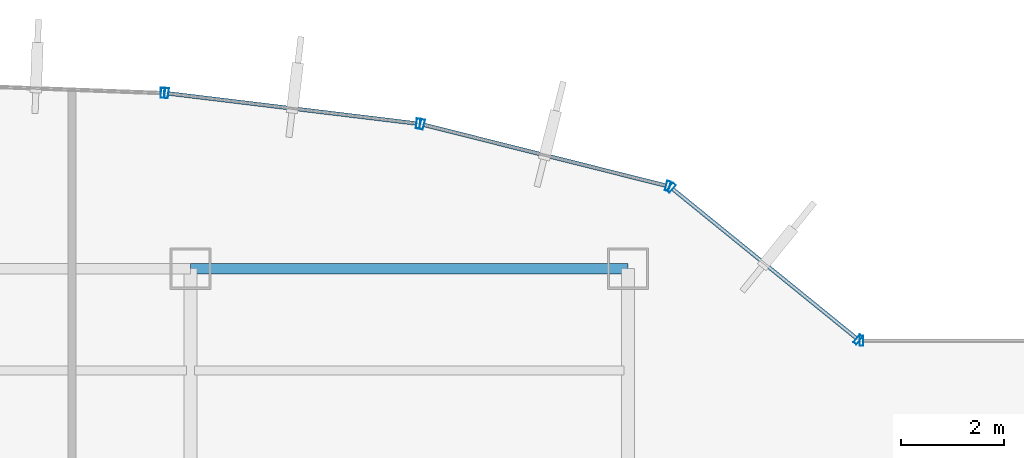
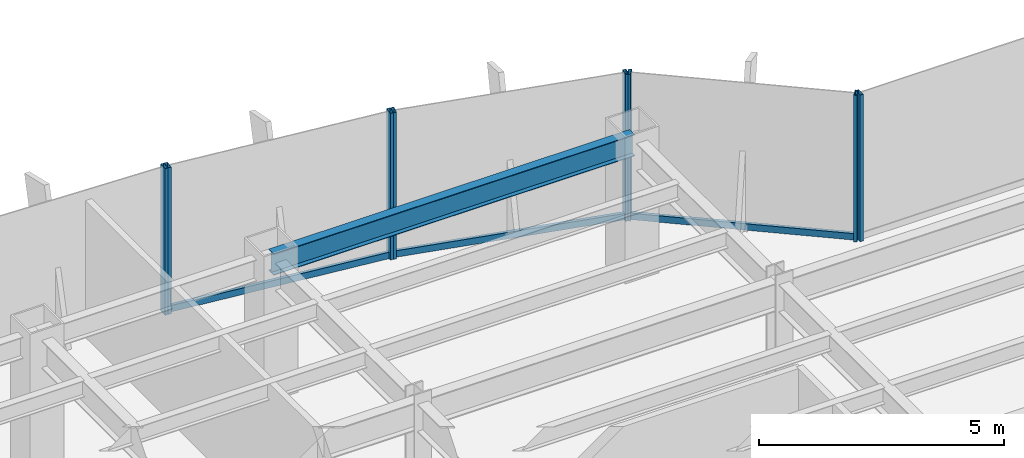
# One storey, part 18 of 26: 11 members, 1 beam, 5 elements without a shape of their own.
"""IFC4 building model written with IfcOpenShell, lengths in metres."""

from ifc_helpers import new_model, si_unit, derived_unit, direction, frame, origin, origin_2d, place, context, subcontext, project, spatial, hollow_rectangle, i_section, extrude, source, transform, mapped, material, material_profile, profile_set, type_object, element, aggregate, save


model = new_model("IFC4")

# Units and contexts
model_context = context("Model", 3, precision=1e-05, world=origin(), true_north=direction((0.0, 1.0)))
body_context = subcontext(model_context, "Body", "Model", "MODEL_VIEW")
ifc_project = project(units=[si_unit("LENGTHUNIT", "METRE"), si_unit("AREAUNIT", "SQUARE_METRE"), si_unit("VOLUMEUNIT", "CUBIC_METRE"), si_unit("PLANEANGLEUNIT", "RADIAN"), si_unit("MASSUNIT", "GRAM", prefix="KILO"), derived_unit("THERMALTRANSMITTANCEUNIT", [(si_unit("POWERUNIT", "WATT"), 1), (si_unit("LENGTHUNIT", "METRE"), -2), (si_unit("THERMODYNAMICTEMPERATUREUNIT", "KELVIN"), -1)])], contexts=[model_context])

# Site, building, storey
site_placement = place(None, origin())
site = spatial("IfcSite", under=ifc_project, at=site_placement, CompositionType="ELEMENT")
building_placement = place(site_placement, origin())
building = spatial("IfcBuilding", under=site, at=building_placement, Name="Skarnbrae Concourse Arena and Tower", CompositionType="ELEMENT")
storey_placement = place(building_placement, frame((0.0, 0.0, 128.800048828125)))
storey = spatial("IfcBuildingStorey", under=building, at=storey_placement, Name="L32", CompositionType="ELEMENT", Elevation=128.800048828125)

# Beam
ifc_material_1 = material(Name="Steel CSA G40.21 350W", Category="steel")
ifc_material_profile_1 = material_profile(ifc_material_1, i_section(OverallWidth=0.208984375, OverallDepth=0.532958984375, WebThickness=0.01025390625, FlangeThickness=0.015625, at=origin_2d()), Name="W530X92")
ifc_profile_set_1 = profile_set([ifc_material_profile_1], Name="Steel CSA G40.21 350W")
beam_type = type_object("IfcBeamType", Name="BM-SPAN-W530X92", PredefinedType="SPANDREL", material=ifc_profile_set_1)
shared_shape_1 = source(origin(), body_context, "Body", "SweptSolid", [
    extrude(i_section(OverallWidth=0.208984375, OverallDepth=0.532958984375, WebThickness=0.01025390625, FlangeThickness=0.015625, at=origin_2d()), origin(), (0.0, 0.0, 1.0), 8.5),
])
beam_placement = place(storey_placement, frame((33.5, 40.39990234375, 3.133544921875), z_axis=(1.0, 0.0, 0.0), x_axis=(0.0, 1.0, 0.0)))
element("IfcBeam", 1, at=beam_placement, inside=storey, type_object=beam_type, Name="L32 Perimeter spandrel Y40.4-4", PredefinedType="SPANDREL", context=body_context, shape_type="MappedRepresentation", body=[
    mapped(shared_shape_1, transform((0.0, 0.0, 0.0))),
])

# Curtain wall, member
ifc_material_2 = material(Name="Bronze anodised aluminium 6063-T6", Category="aluminium")
curtain_wall_type = type_object("IfcCurtainWallType", Name="CW-SYS-04-MIDZONE", PredefinedType="USERDEFINED", material=ifc_material_2)
curtain_wall_1_placement = place(storey_placement, origin())
curtain_wall_1 = element("IfcCurtainWall", 2, at=curtain_wall_1_placement, inside=storey, type_object=curtain_wall_type, Name="L32 Unitised curtain wall CW-L32-E08", ObjectType="UNITISED CURTAIN WALL", PredefinedType="USERDEFINED")
ifc_material_profile_2 = material_profile(ifc_material_2, hollow_rectangle(XDim=0.074951171875, YDim=0.159912109375, WallThickness=0.00439453125, at=origin_2d()), Name="ALU-TRAN-75X160")
ifc_profile_set_2 = profile_set([ifc_material_profile_2], Name="Bronze anodised aluminium 6063-T6")
member_type_1 = type_object("IfcMemberType", Name="CWT-CW-04", PredefinedType="USERDEFINED", material=ifc_profile_set_2)
shared_shape_2 = source(origin(), body_context, "Body", "SweptSolid", [
    extrude(hollow_rectangle(XDim=0.074951171875, YDim=0.159912109375, WallThickness=0.00439453125, at=origin_2d()), origin(), (0.0, 0.0, 1.0), 4.602294921875),
])
member_1_placement = place(storey_placement, frame((46.44189453125, 39.04736328125, 0.079833984375), z_axis=(-0.776251906445, 0.630422856297, 0.0), x_axis=(-0.630422856297, -0.776251906445, 0.0)))
member_1 = element("IfcMember", 3, at=member_1_placement, type_object=member_type_1, Name="CW-L32-E08 Transom 1", ObjectType="TRANSOM", PredefinedType="USERDEFINED", context=body_context, shape_type="MappedRepresentation", body=[
    mapped(shared_shape_2, transform((0.0, 0.0, 0.0))),
])

curtain_wall_2_placement = place(storey_placement, origin())
curtain_wall_2 = element("IfcCurtainWall", 4, at=curtain_wall_2_placement, inside=storey, type_object=curtain_wall_type, Name="L32 Unitised curtain wall CW-L32-E09", ObjectType="UNITISED CURTAIN WALL", PredefinedType="USERDEFINED")
shared_shape_3 = source(origin(), body_context, "Body", "SweptSolid", [
    extrude(hollow_rectangle(XDim=0.074951171875, YDim=0.159912109375, WallThickness=0.00439453125, at=origin_2d()), origin(), (0.0, 0.0, 1.0), 4.84716796875),
])
member_2_placement = place(storey_placement, frame((42.73828125, 42.014404296875, 0.079833984375), z_axis=(-0.969907992238, 0.243471736744, 0.0), x_axis=(-0.243471736744, -0.969907992238, 0.0)))
member_2 = element("IfcMember", 5, at=member_2_placement, type_object=member_type_1, Name="CW-L32-E09 Transom 1", ObjectType="TRANSOM", PredefinedType="USERDEFINED", context=body_context, shape_type="MappedRepresentation", body=[
    mapped(shared_shape_3, transform((0.0, 0.0, 0.0))),
])

curtain_wall_3_placement = place(storey_placement, origin())
curtain_wall_3 = element("IfcCurtainWall", 6, at=curtain_wall_3_placement, inside=storey, type_object=curtain_wall_type, Name="L32 Unitised curtain wall CW-L32-E10", ObjectType="UNITISED CURTAIN WALL", PredefinedType="USERDEFINED")
shared_shape_4 = source(origin(), body_context, "Body", "SweptSolid", [
    extrude(hollow_rectangle(XDim=0.074951171875, YDim=0.159912109375, WallThickness=0.00439453125, at=origin_2d()), origin(), (0.0, 0.0, 1.0), 4.851318359375),
])
member_3_placement = place(storey_placement, frame((37.8896484375, 43.2216796875, 0.079833984375), z_axis=(-0.992746710317, 0.120224661172, 0.0), x_axis=(-0.120224661172, -0.992746710317, 0.0)))
member_3 = element("IfcMember", 7, at=member_3_placement, type_object=member_type_1, Name="CW-L32-E10 Transom 1", ObjectType="TRANSOM", PredefinedType="USERDEFINED", context=body_context, shape_type="MappedRepresentation", body=[
    mapped(shared_shape_4, transform((0.0, 0.0, 0.0))),
])

curtain_wall_4_placement = place(storey_placement, origin())
curtain_wall_4 = element("IfcCurtainWall", 8, at=curtain_wall_4_placement, inside=storey, type_object=curtain_wall_type, Name="L32 Unitised curtain wall CW-L32-E07", ObjectType="UNITISED CURTAIN WALL", PredefinedType="USERDEFINED")
ifc_material_profile_3 = material_profile(ifc_material_2, hollow_rectangle(XDim=0.074951171875, YDim=0.195068359375, WallThickness=0.00439453125, at=origin_2d()), Name="ALU-MULL-75X195")
ifc_profile_set_3 = profile_set([ifc_material_profile_3], Name="Bronze anodised aluminium 6063-T6")
member_type_2 = type_object("IfcMemberType", Name="CWM-CW-04", PredefinedType="MULLION", material=ifc_profile_set_3)
shared_shape_5 = source(origin(), body_context, "Body", "SweptSolid", [
    extrude(hollow_rectangle(XDim=0.074951171875, YDim=0.195068359375, WallThickness=0.00439453125, at=origin_2d()), origin(), (0.0, 0.0, 1.0), 3.64990234375),
])
member_4_placement = place(storey_placement, frame((46.53759765625, 39.0, 0.0), z_axis=(0.0, 0.0, 1.0), x_axis=(-1.0, 0.0, 0.0)))
member_4 = element("IfcMember", 9, at=member_4_placement, type_object=member_type_2, Name="CW-L32-E07 Mullion 2", PredefinedType="MULLION", context=body_context, shape_type="MappedRepresentation", body=[
    mapped(shared_shape_5, transform((0.0, 0.0, 0.0))),
])
aggregate(curtain_wall_4, [member_4])

# Member
member_5_placement = place(storey_placement, frame((46.470947265625, 39.023681640625, 0.0), z_axis=(0.0, 0.0, 1.0), x_axis=(-0.776241200471, 0.630436038542, 0.0)))
member_5 = element("IfcMember", 10, at=member_5_placement, type_object=member_type_2, Name="CW-L32-E08 Mullion 1", PredefinedType="MULLION", context=body_context, shape_type="MappedRepresentation", body=[
    mapped(shared_shape_5, transform((0.0, 0.0, 0.0))),
])

member_6_placement = place(storey_placement, frame((42.840087890625, 41.972412109375, 0.0), z_axis=(0.0, 0.0, 1.0), x_axis=(-0.776241200471, 0.630436038542, 0.0)))
member_6 = element("IfcMember", 11, at=member_6_placement, type_object=member_type_2, Name="CW-L32-E08 Mullion 2", PredefinedType="MULLION", context=body_context, shape_type="MappedRepresentation", body=[
    mapped(shared_shape_5, transform((0.0, 0.0, 0.0))),
])

aggregate(curtain_wall_1, [member_5, member_6, member_1])

member_7_placement = place(storey_placement, frame((42.774658203125, 42.005126953125, 0.0), z_axis=(0.0, 0.0, 1.0), x_axis=(-0.969903046166, 0.243491439351, 0.0)))
member_7 = element("IfcMember", 12, at=member_7_placement, type_object=member_type_2, Name="CW-L32-E09 Mullion 1", PredefinedType="MULLION", context=body_context, shape_type="MappedRepresentation", body=[
    mapped(shared_shape_5, transform((0.0, 0.0, 0.0))),
])

member_8_placement = place(storey_placement, frame((38.00048828125, 43.20361328125, 0.0), z_axis=(0.0, 0.0, 1.0), x_axis=(-0.969903046166, 0.243491439351, 0.0)))
member_8 = element("IfcMember", 13, at=member_8_placement, type_object=member_type_2, Name="CW-L32-E09 Mullion 2", PredefinedType="MULLION", context=body_context, shape_type="MappedRepresentation", body=[
    mapped(shared_shape_5, transform((0.0, 0.0, 0.0))),
])

aggregate(curtain_wall_2, [member_7, member_8, member_2])

member_9_placement = place(storey_placement, frame((37.927001953125, 43.21728515625, 0.0), z_axis=(0.0, 0.0, 1.0), x_axis=(-0.992749371969, 0.120202680731, 0.0)))
member_9 = element("IfcMember", 14, at=member_9_placement, type_object=member_type_2, Name="CW-L32-E10 Mullion 1", PredefinedType="MULLION", context=body_context, shape_type="MappedRepresentation", body=[
    mapped(shared_shape_5, transform((0.0, 0.0, 0.0))),
])

member_10_placement = place(storey_placement, frame((33.0361328125, 43.8095703125, 0.0), z_axis=(0.0, 0.0, 1.0), x_axis=(-0.992749371969, 0.120202680731, 0.0)))
member_10 = element("IfcMember", 15, at=member_10_placement, type_object=member_type_2, Name="CW-L32-E10 Mullion 2", PredefinedType="MULLION", context=body_context, shape_type="MappedRepresentation", body=[
    mapped(shared_shape_5, transform((0.0, 0.0, 0.0))),
])

aggregate(curtain_wall_3, [member_9, member_10, member_3])

# Curtain wall, member
curtain_wall_5_placement = place(storey_placement, origin())
curtain_wall_5 = element("IfcCurtainWall", 16, at=curtain_wall_5_placement, inside=storey, type_object=curtain_wall_type, Name="L32 Unitised curtain wall CW-L32-E11", ObjectType="UNITISED CURTAIN WALL", PredefinedType="USERDEFINED")
member_11_placement = place(storey_placement, frame((32.96142578125, 43.8154296875, 0.0), z_axis=(0.0, 0.0, 1.0), x_axis=(-0.999308486252, 0.037182647889, 0.0)))
member_11 = element("IfcMember", 17, at=member_11_placement, type_object=member_type_2, Name="CW-L32-E11 Mullion 1", PredefinedType="MULLION", context=body_context, shape_type="MappedRepresentation", body=[
    mapped(shared_shape_5, transform((0.0, 0.0, 0.0))),
])
aggregate(curtain_wall_5, [member_11])

save(model, "model.ifc")
